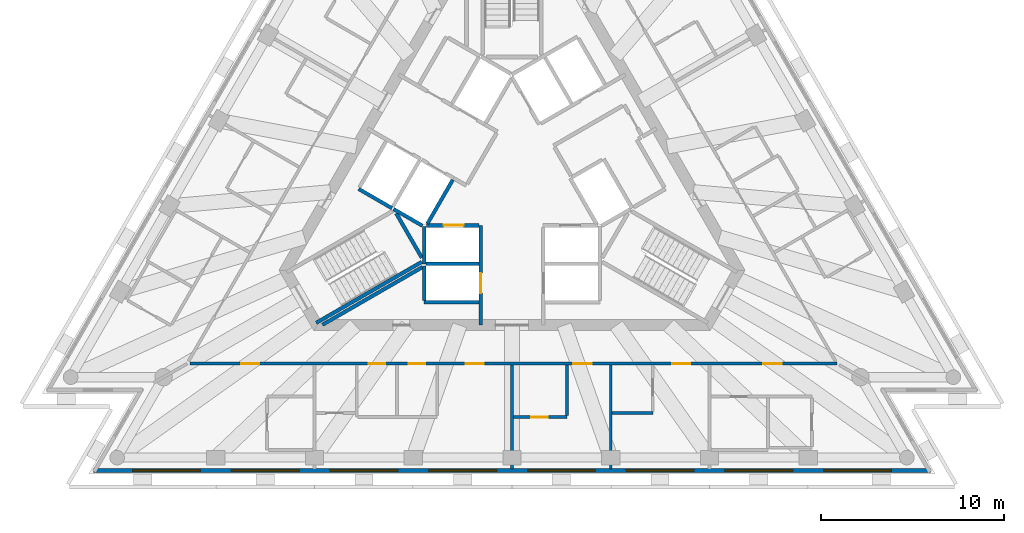
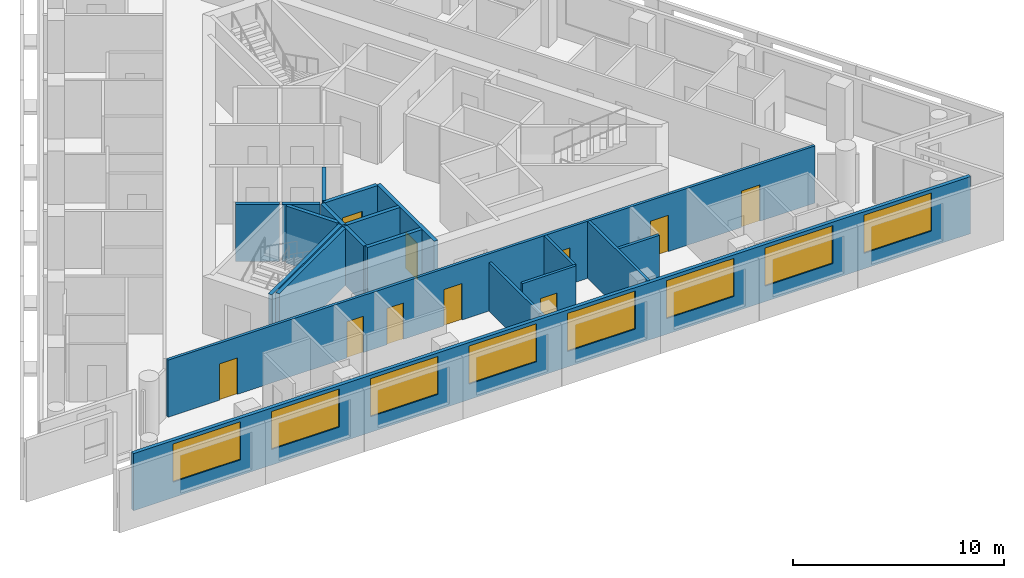
# One storey, part 3 of 10: 19 walls, 10 doors, 8 windows, 18 openings.
"""IFC4 building model written with IfcOpenShell, lengths in metres."""

from ifc_helpers import new_model, si_unit, direction, frame, frame_2d, origin, place, context, subcontext, project, spatial, rectangle, extrude, material, layer, layer_set, layer_usage, type_object, element, fill, save


model = new_model("IFC4")

# Units and contexts
model_context = context("Model", 3, precision=1e-05, world=origin(), true_north=direction((0.0, 1.0)))
body_context = subcontext(model_context, "Body", "Model", "MODEL_VIEW")
ifc_project = project(units=[si_unit("LENGTHUNIT", "METRE"), si_unit("AREAUNIT", "SQUARE_METRE"), si_unit("VOLUMEUNIT", "CUBIC_METRE"), si_unit("PLANEANGLEUNIT", "RADIAN"), si_unit("MASSUNIT", "GRAM", prefix="KILO")], contexts=[model_context])

# Site, building, storey
site_placement = place(None, origin())
site = spatial("IfcSite", under=ifc_project, at=site_placement, CompositionType="ELEMENT")
building_placement = place(site_placement, origin())
building = spatial("IfcBuilding", under=site, at=building_placement, Name="Triada Interchange Tower", CompositionType="ELEMENT")
storey_placement = place(building_placement, frame((0.0, 0.0, 297.10009765625)))
storey = spatial("IfcBuildingStorey", under=building, at=storey_placement, Name="L70", CompositionType="ELEMENT", Elevation=297.10009765625)

# Walls
ifc_material_1 = material(Name="Concrete C30/37", Category="concrete")
ifc_layer_1 = layer(ifc_material_1, 0.199951171875)
ifc_layer_set_1 = layer_set([ifc_layer_1], Name="CORE WALL 200 EI 120")
wall_type_1 = type_object("IfcWallType", Name="CORE WALL 200 EI 120", PredefinedType="SOLIDWALL", material=ifc_layer_set_1)
wall_1_placement = place(storey_placement, frame((-8.3759765625, -0.70703125, 0.0), z_axis=(0.0, 0.0, 1.0), x_axis=(0.866067520717, -0.499927044236, 0.0)))
element("IfcWall", 1, at=wall_1_placement, inside=storey, type_object=wall_type_1, Name="Wall L68 66", PredefinedType="SOLIDWALL", context=body_context, shape_type="SweptSolid", body=[
    extrude(rectangle(XDim=2.100341796875, YDim=0.199951171875, at=frame_2d((1.05029296875, 0.0))), origin(), (0.0, 0.0, 1.0), 3.2998046875),
])
wall_2_placement = place(storey_placement, frame((-4.800048828125, -6.89990234375, 0.0), z_axis=(0.0, 0.0, 1.0), x_axis=(1.0, 0.0, 0.0)))
element("IfcWall", 2, at=wall_2_placement, inside=storey, type_object=wall_type_1, Name="Wall L68 68", PredefinedType="SOLIDWALL", context=body_context, shape_type="SweptSolid", body=[
    extrude(rectangle(XDim=3.0, YDim=0.199951171875, at=frame_2d((1.5, 0.0))), origin(), (0.0, 0.0, 1.0), 3.2998046875),
])
wall_3_placement = place(storey_placement, frame((-4.800048828125, -6.800048828125, 0.0), z_axis=(0.0, 0.0, 1.0), x_axis=(0.0, 1.0, 0.0)))
element("IfcWall", 3, at=wall_3_placement, inside=storey, type_object=wall_type_1, Name="Wall L68 70", PredefinedType="SOLIDWALL", context=body_context, shape_type="SweptSolid", body=[
    extrude(rectangle(XDim=1.880126953125, YDim=0.199951171875, at=frame_2d((0.93994140625, 0.0))), origin(), (0.0, 0.0, 1.0), 3.2998046875),
])
wall_4_placement = place(storey_placement, frame((-4.800048828125, -4.800048828125, 0.0), z_axis=(0.0, 0.0, 1.0), x_axis=(0.0, 1.0, 0.0)))
element("IfcWall", 4, at=wall_4_placement, inside=storey, type_object=wall_type_1, Name="Wall L68 71", PredefinedType="SOLIDWALL", context=body_context, shape_type="SweptSolid", body=[
    extrude(rectangle(XDim=2.031005859375, YDim=0.199951171875, at=frame_2d((1.015625, 0.0))), origin(), (0.0, 0.0, 1.0), 3.2998046875),
])
wall_5_placement = place(storey_placement, frame((-4.699951171875, -4.800048828125, 0.0), z_axis=(0.0, 0.0, 1.0), x_axis=(1.0, 0.0, 0.0)))
element("IfcWall", 5, at=wall_5_placement, inside=storey, type_object=wall_type_1, Name="Wall L68 72", PredefinedType="SOLIDWALL", context=body_context, shape_type="SweptSolid", body=[
    extrude(rectangle(XDim=2.89990234375, YDim=0.199951171875, at=frame_2d((1.449951171875, 0.0))), origin(), (0.0, 0.0, 1.0), 3.2998046875),
])

# Wall, opening, door
wall_6_placement = place(storey_placement, frame((-1.699951171875, -8.1298828125, 0.0), z_axis=(0.0, 0.0, 1.0), x_axis=(0.0, 1.0, 0.0)))
wall_6 = element("IfcWall", 6, at=wall_6_placement, inside=storey, type_object=wall_type_1, Name="Wall L68 74", PredefinedType="SOLIDWALL", context=body_context, shape_type="SweptSolid", body=[
    extrude(rectangle(XDim=5.427001953125, YDim=0.199951171875, at=frame_2d((2.71337890625, 0.0))), origin(), (0.0, 0.0, 1.0), 3.2998046875),
])
opening_1_placement = place(wall_6_placement, frame((1.72998046875, 0.0, 0.0)))
opening_1 = element("IfcOpeningElement", 7, at=opening_1_placement, cuts=wall_6, Name="Opening LD-HR4", PredefinedType="OPENING", context=body_context, shape_type="SweptSolid", body=[
    extrude(rectangle(XDim=1.10009765625, YDim=2.10009765625, at=frame_2d((0.550048828125, 1.050048828125))), frame((0.0, 0.10986328125, 0.0), z_axis=(0.0, -1.0, 0.0), x_axis=(1.0, 0.0, 0.0)), (0.0, 0.0, 1.0), 0.219970703125),
])
ifc_material_2 = material(Name="Steel S235 door leaf", Category="steel")
door_type_1 = type_object("IfcDoorType", Name="LIFT LANDING DOOR 1100 EI 120", OperationType="SLIDING_TO_LEFT", PredefinedType="DOOR", material=ifc_material_2)
door_1_placement = place(opening_1_placement, origin())
door_1 = element("IfcDoor", 8, at=door_1_placement, inside=storey, type_object=door_type_1, Name="HR4 landing door L70", OperationType="SLIDING_TO_LEFT", OverallHeight=2.10009765625, OverallWidth=1.10009765625, PredefinedType="DOOR", context=body_context, shape_type="SweptSolid", body=[
    extrude(rectangle(XDim=1.10009765625, YDim=2.10009765625, at=frame_2d((0.550048828125, 1.050048828125))), frame((0.0, 0.02490234375, 0.0), z_axis=(0.0, -1.0, 0.0), x_axis=(1.0, 0.0, 0.0)), (0.0, 0.0, 1.0), 0.050048828125),
])
fill(opening_1, door_1)

wall_7_placement = place(storey_placement, frame((-4.676025390625, -2.699951171875, 0.0), z_axis=(0.0, 0.0, 1.0), x_axis=(1.0, 0.0, 0.0)))
wall_7 = element("IfcWall", 9, at=wall_7_placement, inside=storey, type_object=wall_type_1, Name="Wall L68 75", PredefinedType="SOLIDWALL", context=body_context, shape_type="SweptSolid", body=[
    extrude(rectangle(XDim=2.873046875, YDim=0.199951171875, at=frame_2d((1.4365234375, 0.0))), origin(), (0.0, 0.0, 1.0), 3.2998046875),
])
opening_2_placement = place(wall_7_placement, frame((0.93701171875, 0.0, 0.0)))
opening_2 = element("IfcOpeningElement", 10, at=opening_2_placement, cuts=wall_7, Name="Opening LD-HR3", PredefinedType="OPENING", context=body_context, shape_type="SweptSolid", body=[
    extrude(rectangle(XDim=1.10009765625, YDim=2.10009765625, at=frame_2d((0.550048828125, 1.050048828125))), frame((0.0, 0.10986328125, 0.0), z_axis=(0.0, -1.0, 0.0), x_axis=(1.0, 0.0, 0.0)), (0.0, 0.0, 1.0), 0.219970703125),
])
door_2_placement = place(opening_2_placement, origin())
door_2 = element("IfcDoor", 11, at=door_2_placement, inside=storey, type_object=door_type_1, Name="HR3 landing door L70", OperationType="SLIDING_TO_LEFT", OverallHeight=2.10009765625, OverallWidth=1.10009765625, PredefinedType="DOOR", context=body_context, shape_type="SweptSolid", body=[
    extrude(rectangle(XDim=1.10009765625, YDim=2.10009765625, at=frame_2d((0.550048828125, 1.050048828125))), frame((0.0, 0.02490234375, 0.0), z_axis=(0.0, -1.0, 0.0), x_axis=(1.0, 0.0, 0.0)), (0.0, 0.0, 1.0), 0.050048828125),
])
fill(opening_2, door_2)

# Walls
ifc_layer_2 = layer(ifc_material_1, 0.199951171875)
ifc_layer_set_2 = layer_set([ifc_layer_2], Name="CORE WALL 200 EI 180")
wall_type_2 = type_object("IfcWallType", Name="CORE WALL 200 EI 180", PredefinedType="SOLIDWALL", material=ifc_layer_set_2)
wall_8_placement = place(storey_placement, frame((-6.469970703125, -1.806884765625, 0.0), z_axis=(0.0, 0.0, 1.0), x_axis=(0.865883195159, -0.500246231712, 0.0)))
element("IfcWall", 12, at=wall_8_placement, inside=storey, type_object=wall_type_2, Name="Shaft wall FF1 L68 100", PredefinedType="SOLIDWALL", context=body_context, shape_type="SweptSolid", body=[
    extrude(rectangle(XDim=1.8154296875, YDim=0.199951171875, at=frame_2d((0.90771484375, 0.0))), origin(), (0.0, 0.0, 1.0), 3.2998046875),
])
wall_9_placement = place(storey_placement, frame((-4.618896484375, -2.60009765625, 0.0), z_axis=(0.0, 0.0, 1.0), x_axis=(0.50009492287, 0.865970593103, 0.0)))
element("IfcWall", 13, at=wall_9_placement, inside=storey, type_object=wall_type_2, Name="Shaft wall FF1 L68 102", PredefinedType="SOLIDWALL", context=body_context, shape_type="SweptSolid", body=[
    extrude(rectangle(XDim=2.76123046875, YDim=0.199951171875, at=frame_2d((1.380615234375, 0.0))), origin(), (0.0, 0.0, 1.0), 3.2998046875),
])
ifc_layer_3 = layer(ifc_material_1, 0.199951171875)
ifc_layer_set_3 = layer_set([ifc_layer_3], Name="CORE WALL 200 EI 90")
wall_type_3 = type_object("IfcWallType", Name="CORE WALL 200 EI 90", PredefinedType="SOLIDWALL", material=ifc_layer_set_3)
wall_10_placement = place(storey_placement, frame((-10.35693359375, -8.1298828125, 0.0), z_axis=(0.0, 0.0, 1.0), x_axis=(0.866074613031, 0.499914757397, 0.0)))
element("IfcWall", 14, at=wall_10_placement, inside=storey, type_object=wall_type_3, Name="Wall L68 107", PredefinedType="SOLIDWALL", context=body_context, shape_type="SweptSolid", body=[
    extrude(rectangle(XDim=6.30078125, YDim=0.199951171875, at=frame_2d((3.150390625, 0.0))), origin(), (0.0, 0.0, 1.0), 3.2998046875),
])
ifc_layer_4 = layer(ifc_material_1, 0.199951171875)
ifc_layer_set_4 = layer_set([ifc_layer_4], Name="CORE WALL 200 REI 240")
wall_type_4 = type_object("IfcWallType", Name="CORE WALL 200 REI 240", PredefinedType="SOLIDWALL", material=ifc_layer_set_4)
wall_11_placement = place(storey_placement, frame((-6.3291015625, -2.0380859375, 0.0), z_axis=(0.0, 0.0, 1.0), x_axis=(0.500200581029, -0.865909567298, 0.0)))
element("IfcWall", 15, at=wall_11_placement, inside=storey, type_object=wall_type_4, Name="Wall L68 113", PredefinedType="SOLIDWALL", context=body_context, shape_type="SweptSolid", body=[
    extrude(rectangle(XDim=2.799072265625, YDim=0.199951171875, at=frame_2d((1.3994140625, 0.0))), origin(), (0.0, 0.0, 1.0), 3.2998046875),
])
wall_12_placement = place(storey_placement, frame((-10.700927734375, -8.02587890625, 0.0), z_axis=(0.0, 0.0, 1.0), x_axis=(0.866005022404, 0.500035299925, 0.0)))
element("IfcWall", 16, at=wall_12_placement, inside=storey, type_object=wall_type_4, Name="Wall L68 114", PredefinedType="SOLIDWALL", context=body_context, shape_type="SweptSolid", body=[
    extrude(rectangle(XDim=6.6650390625, YDim=0.199951171875, at=frame_2d((3.33251953125, 0.0))), origin(), (0.0, 0.0, 1.0), 3.2998046875),
])

# Wall, openings, windows
ifc_material_3 = material(Name="Cement board")
ifc_layer_5 = layer(ifc_material_3, 0.02001953125, Name="Cement board cladding")
ifc_material_4 = material(Name="Sheathing board")
ifc_layer_6 = layer(ifc_material_4, 0.014892578125, Name="Sheathing board")
ifc_material_5 = material(Name="Mineral wool")
ifc_layer_7 = layer(ifc_material_5, 0.14990234375, Name="Mineral wool between steel studs")
ifc_material_6 = material(Name="Gypsum board")
ifc_layer_8 = layer(ifc_material_6, 0.014892578125, Name="Plasterboard lining")
ifc_layer_set_5 = layer_set([ifc_layer_5, ifc_layer_6, ifc_layer_7, ifc_layer_8], Name="External wall 200")
ifc_layer_usage = layer_usage(ifc_layer_set_5, "AXIS2", "POSITIVE", -0.10009765625)
wall_type_5 = type_object("IfcWallType", Name="External wall 200", PredefinedType="ELEMENTEDWALL", material=ifc_layer_set_5)
wall_13_placement = place(storey_placement, frame((-22.8798828125, -16.090087890625, 0.0), z_axis=(0.0, 0.0, 1.0), x_axis=(1.0, 0.0, 0.0)))
wall_13 = element("IfcWall", 17, at=wall_13_placement, inside=storey, type_object=wall_type_5, material=ifc_layer_usage, Name="External wall L70 S", PredefinedType="ELEMENTEDWALL", context=body_context, shape_type="SweptSolid", body=[
    extrude(rectangle(XDim=45.739990234375, YDim=0.199951171875, at=frame_2d((22.8701171875, 0.0))), origin(), (0.0, 0.0, 1.0), 3.2998046875),
])
opening_3_placement = place(wall_13_placement, frame((2.14990234375, 0.0, 0.89990234375)))
opening_3 = element("IfcOpeningElement", 18, at=opening_3_placement, cuts=wall_13, Name="Opening WD11", PredefinedType="OPENING", context=body_context, shape_type="SweptSolid", body=[
    extrude(rectangle(XDim=3.699951171875, YDim=2.199951171875, at=frame_2d((1.85009765625, 1.10009765625))), frame((0.0, 0.10986328125, 0.0), z_axis=(0.0, -1.0, 0.0), x_axis=(1.0, 0.0, 0.0)), (0.0, 0.0, 1.0), 0.219970703125),
])
opening_4_placement = place(wall_13_placement, frame((7.5439453125, 0.0, 0.89990234375)))
opening_4 = element("IfcOpeningElement", 19, at=opening_4_placement, cuts=wall_13, Name="Opening WD12", PredefinedType="OPENING", context=body_context, shape_type="SweptSolid", body=[
    extrude(rectangle(XDim=3.699951171875, YDim=2.199951171875, at=frame_2d((1.85009765625, 1.10009765625))), frame((0.0, 0.10986328125, 0.0), z_axis=(0.0, -1.0, 0.0), x_axis=(1.0, 0.0, 0.0)), (0.0, 0.0, 1.0), 0.219970703125),
])
opening_5_placement = place(wall_13_placement, frame((12.93896484375, 0.0, 0.89990234375)))
opening_5 = element("IfcOpeningElement", 20, at=opening_5_placement, cuts=wall_13, Name="Opening WD13", PredefinedType="OPENING", context=body_context, shape_type="SweptSolid", body=[
    extrude(rectangle(XDim=3.699951171875, YDim=2.199951171875, at=frame_2d((1.85009765625, 1.10009765625))), frame((0.0, 0.10986328125, 0.0), z_axis=(0.0, -1.0, 0.0), x_axis=(1.0, 0.0, 0.0)), (0.0, 0.0, 1.0), 0.219970703125),
])
opening_6_placement = place(wall_13_placement, frame((18.3330078125, 0.0, 0.89990234375)))
opening_6 = element("IfcOpeningElement", 21, at=opening_6_placement, cuts=wall_13, Name="Opening WD14", PredefinedType="OPENING", context=body_context, shape_type="SweptSolid", body=[
    extrude(rectangle(XDim=3.699951171875, YDim=2.199951171875, at=frame_2d((1.85009765625, 1.10009765625))), frame((0.0, 0.10986328125, 0.0), z_axis=(0.0, -1.0, 0.0), x_axis=(1.0, 0.0, 0.0)), (0.0, 0.0, 1.0), 0.219970703125),
])
opening_7_placement = place(wall_13_placement, frame((23.72705078125, 0.0, 0.89990234375)))
opening_7 = element("IfcOpeningElement", 22, at=opening_7_placement, cuts=wall_13, Name="Opening WD15", PredefinedType="OPENING", context=body_context, shape_type="SweptSolid", body=[
    extrude(rectangle(XDim=3.699951171875, YDim=2.199951171875, at=frame_2d((1.85009765625, 1.10009765625))), frame((0.0, 0.10986328125, 0.0), z_axis=(0.0, -1.0, 0.0), x_axis=(1.0, 0.0, 0.0)), (0.0, 0.0, 1.0), 0.219970703125),
])
opening_8_placement = place(wall_13_placement, frame((29.12109375, 0.0, 0.89990234375)))
opening_8 = element("IfcOpeningElement", 23, at=opening_8_placement, cuts=wall_13, Name="Opening WD16", PredefinedType="OPENING", context=body_context, shape_type="SweptSolid", body=[
    extrude(rectangle(XDim=3.699951171875, YDim=2.199951171875, at=frame_2d((1.85009765625, 1.10009765625))), frame((0.0, 0.10986328125, 0.0), z_axis=(0.0, -1.0, 0.0), x_axis=(1.0, 0.0, 0.0)), (0.0, 0.0, 1.0), 0.219970703125),
])
opening_9_placement = place(wall_13_placement, frame((34.51611328125, 0.0, 0.89990234375)))
opening_9 = element("IfcOpeningElement", 24, at=opening_9_placement, cuts=wall_13, Name="Opening WD17", PredefinedType="OPENING", context=body_context, shape_type="SweptSolid", body=[
    extrude(rectangle(XDim=3.699951171875, YDim=2.199951171875, at=frame_2d((1.85009765625, 1.10009765625))), frame((0.0, 0.10986328125, 0.0), z_axis=(0.0, -1.0, 0.0), x_axis=(1.0, 0.0, 0.0)), (0.0, 0.0, 1.0), 0.219970703125),
])
opening_10_placement = place(wall_13_placement, frame((39.909912109375, 0.0, 0.89990234375)))
opening_10 = element("IfcOpeningElement", 25, at=opening_10_placement, cuts=wall_13, Name="Opening WD18", PredefinedType="OPENING", context=body_context, shape_type="SweptSolid", body=[
    extrude(rectangle(XDim=3.699951171875, YDim=2.199951171875, at=frame_2d((1.85009765625, 1.10009765625))), frame((0.0, 0.10986328125, 0.0), z_axis=(0.0, -1.0, 0.0), x_axis=(1.0, 0.0, 0.0)), (0.0, 0.0, 1.0), 0.219970703125),
])
ifc_material_7 = material(Name="Double glazed aluminium window", Category="aluminium")
window_type = type_object("IfcWindowType", Name="Ribbon window D face", PartitioningType="SINGLE_PANEL", PredefinedType="WINDOW", material=ifc_material_7)
window_1_placement = place(opening_3_placement, origin())
window_1 = element("IfcWindow", 26, at=window_1_placement, inside=storey, type_object=window_type, Name="Window L70 S 1", OverallHeight=2.199951171875, OverallWidth=3.699951171875, PartitioningType="SINGLE_PANEL", PredefinedType="WINDOW", context=body_context, shape_type="SweptSolid", body=[
    extrude(rectangle(XDim=3.699951171875, YDim=2.199951171875, at=frame_2d((1.85009765625, 1.10009765625))), frame((0.0, 0.030029296875, 0.0), z_axis=(0.0, -1.0, 0.0), x_axis=(1.0, 0.0, 0.0)), (0.0, 0.0, 1.0), 0.06005859375),
])
fill(opening_3, window_1)
window_2_placement = place(opening_4_placement, origin())
window_2 = element("IfcWindow", 27, at=window_2_placement, inside=storey, type_object=window_type, Name="Window L70 S 2", OverallHeight=2.199951171875, OverallWidth=3.699951171875, PartitioningType="SINGLE_PANEL", PredefinedType="WINDOW", context=body_context, shape_type="SweptSolid", body=[
    extrude(rectangle(XDim=3.699951171875, YDim=2.199951171875, at=frame_2d((1.85009765625, 1.10009765625))), frame((0.0, 0.030029296875, 0.0), z_axis=(0.0, -1.0, 0.0), x_axis=(1.0, 0.0, 0.0)), (0.0, 0.0, 1.0), 0.06005859375),
])
fill(opening_4, window_2)
window_3_placement = place(opening_5_placement, origin())
window_3 = element("IfcWindow", 28, at=window_3_placement, inside=storey, type_object=window_type, Name="Window L70 S 3", OverallHeight=2.199951171875, OverallWidth=3.699951171875, PartitioningType="SINGLE_PANEL", PredefinedType="WINDOW", context=body_context, shape_type="SweptSolid", body=[
    extrude(rectangle(XDim=3.699951171875, YDim=2.199951171875, at=frame_2d((1.85009765625, 1.10009765625))), frame((0.0, 0.030029296875, 0.0), z_axis=(0.0, -1.0, 0.0), x_axis=(1.0, 0.0, 0.0)), (0.0, 0.0, 1.0), 0.06005859375),
])
fill(opening_5, window_3)
window_4_placement = place(opening_6_placement, origin())
window_4 = element("IfcWindow", 29, at=window_4_placement, inside=storey, type_object=window_type, Name="Window L70 S 4", OverallHeight=2.199951171875, OverallWidth=3.699951171875, PartitioningType="SINGLE_PANEL", PredefinedType="WINDOW", context=body_context, shape_type="SweptSolid", body=[
    extrude(rectangle(XDim=3.699951171875, YDim=2.199951171875, at=frame_2d((1.85009765625, 1.10009765625))), frame((0.0, 0.030029296875, 0.0), z_axis=(0.0, -1.0, 0.0), x_axis=(1.0, 0.0, 0.0)), (0.0, 0.0, 1.0), 0.06005859375),
])
fill(opening_6, window_4)
window_5_placement = place(opening_7_placement, origin())
window_5 = element("IfcWindow", 30, at=window_5_placement, inside=storey, type_object=window_type, Name="Window L70 S 5", OverallHeight=2.199951171875, OverallWidth=3.699951171875, PartitioningType="SINGLE_PANEL", PredefinedType="WINDOW", context=body_context, shape_type="SweptSolid", body=[
    extrude(rectangle(XDim=3.699951171875, YDim=2.199951171875, at=frame_2d((1.85009765625, 1.10009765625))), frame((0.0, 0.030029296875, 0.0), z_axis=(0.0, -1.0, 0.0), x_axis=(1.0, 0.0, 0.0)), (0.0, 0.0, 1.0), 0.06005859375),
])
fill(opening_7, window_5)
window_6_placement = place(opening_8_placement, origin())
window_6 = element("IfcWindow", 31, at=window_6_placement, inside=storey, type_object=window_type, Name="Window L70 S 6", OverallHeight=2.199951171875, OverallWidth=3.699951171875, PartitioningType="SINGLE_PANEL", PredefinedType="WINDOW", context=body_context, shape_type="SweptSolid", body=[
    extrude(rectangle(XDim=3.699951171875, YDim=2.199951171875, at=frame_2d((1.85009765625, 1.10009765625))), frame((0.0, 0.030029296875, 0.0), z_axis=(0.0, -1.0, 0.0), x_axis=(1.0, 0.0, 0.0)), (0.0, 0.0, 1.0), 0.06005859375),
])
fill(opening_8, window_6)
window_7_placement = place(opening_9_placement, origin())
window_7 = element("IfcWindow", 32, at=window_7_placement, inside=storey, type_object=window_type, Name="Window L70 S 7", OverallHeight=2.199951171875, OverallWidth=3.699951171875, PartitioningType="SINGLE_PANEL", PredefinedType="WINDOW", context=body_context, shape_type="SweptSolid", body=[
    extrude(rectangle(XDim=3.699951171875, YDim=2.199951171875, at=frame_2d((1.85009765625, 1.10009765625))), frame((0.0, 0.030029296875, 0.0), z_axis=(0.0, -1.0, 0.0), x_axis=(1.0, 0.0, 0.0)), (0.0, 0.0, 1.0), 0.06005859375),
])
fill(opening_9, window_7)
window_8_placement = place(opening_10_placement, origin())
window_8 = element("IfcWindow", 33, at=window_8_placement, inside=storey, type_object=window_type, Name="Window L70 S 8", OverallHeight=2.199951171875, OverallWidth=3.699951171875, PartitioningType="SINGLE_PANEL", PredefinedType="WINDOW", context=body_context, shape_type="SweptSolid", body=[
    extrude(rectangle(XDim=3.699951171875, YDim=2.199951171875, at=frame_2d((1.85009765625, 1.10009765625))), frame((0.0, 0.030029296875, 0.0), z_axis=(0.0, -1.0, 0.0), x_axis=(1.0, 0.0, 0.0)), (0.0, 0.0, 1.0), 0.06005859375),
])
fill(opening_10, window_8)

# Wall, openings, doors
ifc_material_8 = material(Name="Gypsum board partition")
ifc_layer_9 = layer(ifc_material_8, 0.14990234375)
ifc_layer_set_6 = layer_set([ifc_layer_9], Name="PARTITION 150 EI 180")
wall_type_6 = type_object("IfcWallType", Name="PARTITION 150 EI 180", PredefinedType="PARTITIONING", material=ifc_layer_set_6)
wall_14_placement = place(storey_placement, frame((-17.60302734375, -10.25, 0.0), z_axis=(0.0, 0.0, 1.0), x_axis=(1.0, 0.0, 0.0)))
wall_14 = element("IfcWall", 34, at=wall_14_placement, inside=storey, type_object=wall_type_6, Name="Wall L68 4", PredefinedType="PARTITIONING", context=body_context, shape_type="SweptSolid", body=[
    extrude(rectangle(XDim=35.35595703125, YDim=0.14990234375, at=frame_2d((17.677978515625, 0.0))), origin(), (0.0, 0.0, 1.0), 3.2998046875),
])
opening_11_placement = place(wall_14_placement, frame((2.800048828125, 0.0, 0.0)))
opening_11 = element("IfcOpeningElement", 35, at=opening_11_placement, cuts=wall_14, Name="Opening D68-11", PredefinedType="OPENING", context=body_context, shape_type="SweptSolid", body=[
    extrude(rectangle(XDim=1.0, YDim=2.10009765625, at=frame_2d((0.5, 1.050048828125))), frame((0.0, 0.0849609375, 0.0), z_axis=(0.0, -1.0, 0.0), x_axis=(1.0, 0.0, 0.0)), (0.0, 0.0, 1.0), 0.169921875),
])
opening_12_placement = place(wall_14_placement, frame((15.06494140625, 0.0, 0.0)))
opening_12 = element("IfcOpeningElement", 36, at=opening_12_placement, cuts=wall_14, Name="Opening D68-13", PredefinedType="OPENING", context=body_context, shape_type="SweptSolid", body=[
    extrude(rectangle(XDim=1.0, YDim=2.10009765625, at=frame_2d((0.5, 1.050048828125))), frame((0.0, 0.0849609375, 0.0), z_axis=(0.0, -1.0, 0.0), x_axis=(1.0, 0.0, 0.0)), (0.0, 0.0, 1.0), 0.169921875),
])
opening_13_placement = place(wall_14_placement, frame((9.764892578125, 0.0, 0.0)))
opening_13 = element("IfcOpeningElement", 37, at=opening_13_placement, cuts=wall_14, Name="Opening D68-15", PredefinedType="OPENING", context=body_context, shape_type="SweptSolid", body=[
    extrude(rectangle(XDim=0.89990234375, YDim=2.10009765625, at=frame_2d((0.449951171875, 1.050048828125))), frame((0.0, 0.0849609375, 0.0), z_axis=(0.0, -1.0, 0.0), x_axis=(1.0, 0.0, 0.0)), (0.0, 0.0, 1.0), 0.169921875),
])
opening_14_placement = place(wall_14_placement, frame((11.965087890625, 0.0, 0.0)))
opening_14 = element("IfcOpeningElement", 38, at=opening_14_placement, cuts=wall_14, Name="Opening D68-16", PredefinedType="OPENING", context=body_context, shape_type="SweptSolid", body=[
    extrude(rectangle(XDim=0.89990234375, YDim=2.10009765625, at=frame_2d((0.449951171875, 1.050048828125))), frame((0.0, 0.0849609375, 0.0), z_axis=(0.0, -1.0, 0.0), x_axis=(1.0, 0.0, 0.0)), (0.0, 0.0, 1.0), 0.169921875),
])
opening_15_placement = place(wall_14_placement, frame((20.952880859375, 0.0, 0.0)))
opening_15 = element("IfcOpeningElement", 39, at=opening_15_placement, cuts=wall_14, Name="Opening D68-17", PredefinedType="OPENING", context=body_context, shape_type="SweptSolid", body=[
    extrude(rectangle(XDim=1.0, YDim=2.10009765625, at=frame_2d((0.5, 1.050048828125))), frame((0.0, 0.0849609375, 0.0), z_axis=(0.0, -1.0, 0.0), x_axis=(1.0, 0.0, 0.0)), (0.0, 0.0, 1.0), 0.169921875),
])
opening_16_placement = place(wall_14_placement, frame((26.346923828125, 0.0, 0.0)))
opening_16 = element("IfcOpeningElement", 40, at=opening_16_placement, cuts=wall_14, Name="Opening D68-19", PredefinedType="OPENING", context=body_context, shape_type="SweptSolid", body=[
    extrude(rectangle(XDim=1.0, YDim=2.10009765625, at=frame_2d((0.5, 1.050048828125))), frame((0.0, 0.0849609375, 0.0), z_axis=(0.0, -1.0, 0.0), x_axis=(1.0, 0.0, 0.0)), (0.0, 0.0, 1.0), 0.169921875),
])
opening_17_placement = place(wall_14_placement, frame((31.342041015625, 0.0, 0.0)))
opening_17 = element("IfcOpeningElement", 41, at=opening_17_placement, cuts=wall_14, Name="Opening D68-21", PredefinedType="OPENING", context=body_context, shape_type="SweptSolid", body=[
    extrude(rectangle(XDim=1.0, YDim=2.10009765625, at=frame_2d((0.5, 1.050048828125))), frame((0.0, 0.0849609375, 0.0), z_axis=(0.0, -1.0, 0.0), x_axis=(1.0, 0.0, 0.0)), (0.0, 0.0, 1.0), 0.169921875),
])
door_type_2 = type_object("IfcDoorType", Name="GUEST ROOM DOOR 1000 EI2 90-C5S200", OperationType="NOTDEFINED", PredefinedType="DOOR", material=ifc_material_2)
door_3_placement = place(opening_11_placement, origin())
door_3 = element("IfcDoor", 42, at=door_3_placement, inside=storey, type_object=door_type_2, Name="Door D68-11 L70", OperationType="SINGLE_SWING_RIGHT", OverallHeight=2.10009765625, OverallWidth=1.0, PredefinedType="DOOR", context=body_context, shape_type="SweptSolid", body=[
    extrude(rectangle(XDim=1.0, YDim=2.10009765625, at=frame_2d((0.5, 1.050048828125))), frame((0.0, 0.02490234375, 0.0), z_axis=(0.0, -1.0, 0.0), x_axis=(1.0, 0.0, 0.0)), (0.0, 0.0, 1.0), 0.050048828125),
])
fill(opening_11, door_3)
door_4_placement = place(opening_12_placement, origin())
door_4 = element("IfcDoor", 43, at=door_4_placement, inside=storey, type_object=door_type_2, Name="Door D68-13 L70", OperationType="SINGLE_SWING_RIGHT", OverallHeight=2.10009765625, OverallWidth=1.0, PredefinedType="DOOR", context=body_context, shape_type="SweptSolid", body=[
    extrude(rectangle(XDim=1.0, YDim=2.10009765625, at=frame_2d((0.5, 1.050048828125))), frame((0.0, 0.02490234375, 0.0), z_axis=(0.0, -1.0, 0.0), x_axis=(1.0, 0.0, 0.0)), (0.0, 0.0, 1.0), 0.050048828125),
])
fill(opening_12, door_4)
door_5_placement = place(opening_15_placement, origin())
door_5 = element("IfcDoor", 44, at=door_5_placement, inside=storey, type_object=door_type_2, Name="Door D68-17 L70", OperationType="SINGLE_SWING_LEFT", OverallHeight=2.10009765625, OverallWidth=1.0, PredefinedType="DOOR", context=body_context, shape_type="SweptSolid", body=[
    extrude(rectangle(XDim=1.0, YDim=2.10009765625, at=frame_2d((0.5, 1.050048828125))), frame((0.0, 0.02490234375, 0.0), z_axis=(0.0, -1.0, 0.0), x_axis=(1.0, 0.0, 0.0)), (0.0, 0.0, 1.0), 0.050048828125),
])
fill(opening_15, door_5)
door_6_placement = place(opening_16_placement, origin())
door_6 = element("IfcDoor", 45, at=door_6_placement, inside=storey, type_object=door_type_2, Name="Door D68-19 L70", OperationType="SINGLE_SWING_RIGHT", OverallHeight=2.10009765625, OverallWidth=1.0, PredefinedType="DOOR", context=body_context, shape_type="SweptSolid", body=[
    extrude(rectangle(XDim=1.0, YDim=2.10009765625, at=frame_2d((0.5, 1.050048828125))), frame((0.0, 0.02490234375, 0.0), z_axis=(0.0, -1.0, 0.0), x_axis=(1.0, 0.0, 0.0)), (0.0, 0.0, 1.0), 0.050048828125),
])
fill(opening_16, door_6)
door_7_placement = place(opening_17_placement, origin())
door_7 = element("IfcDoor", 46, at=door_7_placement, inside=storey, type_object=door_type_2, Name="Door D68-21 L70", OperationType="SINGLE_SWING_LEFT", OverallHeight=2.10009765625, OverallWidth=1.0, PredefinedType="DOOR", context=body_context, shape_type="SweptSolid", body=[
    extrude(rectangle(XDim=1.0, YDim=2.10009765625, at=frame_2d((0.5, 1.050048828125))), frame((0.0, 0.02490234375, 0.0), z_axis=(0.0, -1.0, 0.0), x_axis=(1.0, 0.0, 0.0)), (0.0, 0.0, 1.0), 0.050048828125),
])
fill(opening_17, door_7)
door_type_3 = type_object("IfcDoorType", Name="ROOM DOOR 900 EI2 90-C5S200", OperationType="NOTDEFINED", PredefinedType="DOOR", material=ifc_material_2)
door_8_placement = place(opening_14_placement, origin())
door_8 = element("IfcDoor", 47, at=door_8_placement, inside=storey, type_object=door_type_3, Name="Door D68-16 L70", OperationType="SINGLE_SWING_RIGHT", OverallHeight=2.10009765625, OverallWidth=0.89990234375, PredefinedType="DOOR", context=body_context, shape_type="SweptSolid", body=[
    extrude(rectangle(XDim=0.89990234375, YDim=2.10009765625, at=frame_2d((0.449951171875, 1.050048828125))), frame((0.0, 0.02490234375, 0.0), z_axis=(0.0, -1.0, 0.0), x_axis=(1.0, 0.0, 0.0)), (0.0, 0.0, 1.0), 0.050048828125),
])
fill(opening_14, door_8)
door_type_4 = type_object("IfcDoorType", Name="SERVICE DOOR 900 EI2 90-C5S200", OperationType="NOTDEFINED", PredefinedType="DOOR", material=ifc_material_2)
door_9_placement = place(opening_13_placement, origin())
door_9 = element("IfcDoor", 48, at=door_9_placement, inside=storey, type_object=door_type_4, Name="Door D68-15 L70", OperationType="SINGLE_SWING_RIGHT", OverallHeight=2.10009765625, OverallWidth=0.89990234375, PredefinedType="DOOR", context=body_context, shape_type="SweptSolid", body=[
    extrude(rectangle(XDim=0.89990234375, YDim=2.10009765625, at=frame_2d((0.449951171875, 1.050048828125))), frame((0.0, 0.02490234375, 0.0), z_axis=(0.0, -1.0, 0.0), x_axis=(1.0, 0.0, 0.0)), (0.0, 0.0, 1.0), 0.050048828125),
])
fill(opening_13, door_9)

# Walls
wall_15_placement = place(storey_placement, frame((0.0, -16.010009765625, 0.0), z_axis=(0.0, 0.0, 1.0), x_axis=(0.0, 1.0, 0.0)))
element("IfcWall", 49, at=wall_15_placement, inside=storey, type_object=wall_type_6, Name="Wall L68 16", PredefinedType="PARTITIONING", context=body_context, shape_type="SweptSolid", body=[
    extrude(rectangle(XDim=5.68505859375, YDim=0.14990234375, at=frame_2d((2.842529296875, 0.0))), origin(), (0.0, 0.0, 1.0), 2.7998046875),
])
wall_16_placement = place(storey_placement, frame((5.39404296875, -16.010009765625, 0.0), z_axis=(0.0, 0.0, 1.0), x_axis=(0.0, 1.0, 0.0)))
element("IfcWall", 50, at=wall_16_placement, inside=storey, type_object=wall_type_6, Name="Wall L68 19", PredefinedType="PARTITIONING", context=body_context, shape_type="SweptSolid", body=[
    extrude(rectangle(XDim=5.68505859375, YDim=0.14990234375, at=frame_2d((2.842529296875, 0.0))), origin(), (0.0, 0.0, 1.0), 3.2998046875),
])
ifc_layer_10 = layer(ifc_material_8, 0.14990234375)
ifc_layer_set_7 = layer_set([ifc_layer_10], Name="PARTITION 150 EI 90")
wall_type_7 = type_object("IfcWallType", Name="PARTITION 150 EI 90", PredefinedType="PARTITIONING", material=ifc_layer_set_7)
wall_17_placement = place(storey_placement, frame((5.468994140625, -12.949951171875, 0.0), z_axis=(0.0, 0.0, 1.0), x_axis=(1.0, 0.0, 0.0)))
element("IfcWall", 51, at=wall_17_placement, inside=storey, type_object=wall_type_7, Name="Wall L68 47", PredefinedType="PARTITIONING", context=body_context, shape_type="SweptSolid", body=[
    extrude(rectangle(XDim=2.22509765625, YDim=0.14990234375, at=frame_2d((1.112548828125, 0.0))), origin(), (0.0, 0.0, 1.0), 3.2998046875),
])

# Wall, opening, door
wall_18_placement = place(storey_placement, frame((0.074951171875, -13.169921875, 0.0), z_axis=(0.0, 0.0, 1.0), x_axis=(1.0, 0.0, 0.0)))
wall_18 = element("IfcWall", 52, at=wall_18_placement, inside=storey, type_object=wall_type_7, Name="Wall L68 50", PredefinedType="PARTITIONING", context=body_context, shape_type="SweptSolid", body=[
    extrude(rectangle(XDim=2.925048828125, YDim=0.14990234375, at=frame_2d((1.46240234375, 0.0))), origin(), (0.0, 0.0, 1.0), 3.2998046875),
])
opening_18_placement = place(wall_18_placement, frame((0.97509765625, 0.0, 0.0)))
opening_18 = element("IfcOpeningElement", 53, at=opening_18_placement, cuts=wall_18, Name="Opening D68-18", PredefinedType="OPENING", context=body_context, shape_type="SweptSolid", body=[
    extrude(rectangle(XDim=0.89990234375, YDim=2.10009765625, at=frame_2d((0.449951171875, 1.050048828125))), frame((0.0, 0.0849609375, 0.0), z_axis=(0.0, -1.0, 0.0), x_axis=(1.0, 0.0, 0.0)), (0.0, 0.0, 1.0), 0.169921875),
])
door_type_5 = type_object("IfcDoorType", Name="ROOM DOOR 900 EI2 45-C5S200", OperationType="NOTDEFINED", PredefinedType="DOOR", material=ifc_material_2)
door_10_placement = place(opening_18_placement, origin())
door_10 = element("IfcDoor", 54, at=door_10_placement, inside=storey, type_object=door_type_5, Name="Door D68-18 L70", OperationType="SINGLE_SWING_LEFT", OverallHeight=2.10009765625, OverallWidth=0.89990234375, PredefinedType="DOOR", context=body_context, shape_type="SweptSolid", body=[
    extrude(rectangle(XDim=0.89990234375, YDim=2.10009765625, at=frame_2d((0.449951171875, 1.050048828125))), frame((0.0, 0.02490234375, 0.0), z_axis=(0.0, -1.0, 0.0), x_axis=(1.0, 0.0, 0.0)), (0.0, 0.0, 1.0), 0.050048828125),
])
fill(opening_18, door_10)

# Wall
wall_19_placement = place(storey_placement, frame((3.0, -13.094970703125, 0.0), z_axis=(0.0, 0.0, 1.0), x_axis=(0.0, 1.0, 0.0)))
element("IfcWall", 55, at=wall_19_placement, inside=storey, type_object=wall_type_7, Name="Wall L68 51", PredefinedType="PARTITIONING", context=body_context, shape_type="SweptSolid", body=[
    extrude(rectangle(XDim=2.77001953125, YDim=0.14990234375, at=frame_2d((1.385009765625, 0.0))), origin(), (0.0, 0.0, 1.0), 3.2998046875),
])

save(model, "model.ifc")
